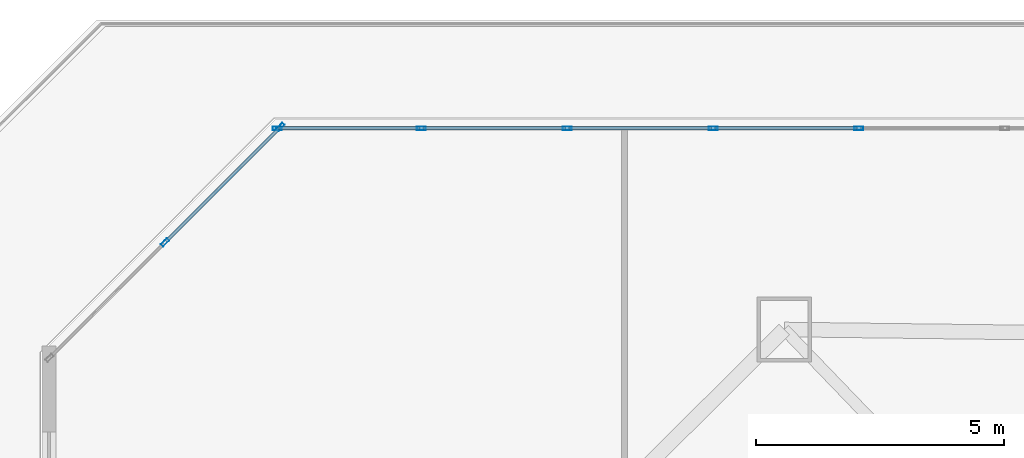
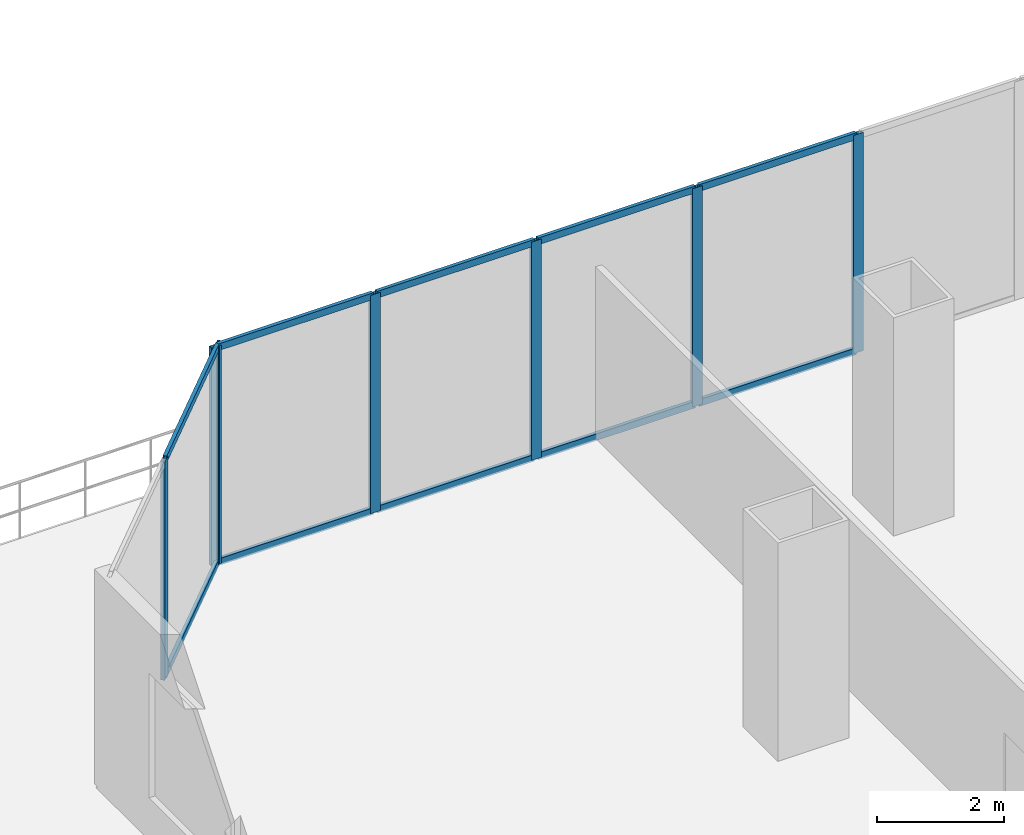
# One storey, part 14 of 31: 17 members, 2 elements without a shape of their own.
"""IFC4 building model written with IfcOpenShell, lengths in metres."""

from ifc_helpers import new_model, si_unit, direction, frame, origin, origin_2d, place, context, subcontext, project, spatial, hollow_rectangle, extrude, material, layer, layer_set, material_profile, profile_set, type_object, element, aggregate, save


model = new_model("IFC4")

# Units and contexts
model_context = context("Model", 3, precision=1e-05, world=origin(), true_north=direction((0.0, 1.0)))
body_context = subcontext(model_context, "Body", "Model", "MODEL_VIEW")
ifc_project = project(units=[si_unit("LENGTHUNIT", "METRE"), si_unit("AREAUNIT", "SQUARE_METRE"), si_unit("VOLUMEUNIT", "CUBIC_METRE"), si_unit("PLANEANGLEUNIT", "RADIAN"), si_unit("MASSUNIT", "GRAM", prefix="KILO")], contexts=[model_context])

# Site, building, storey
site_placement = place(None, origin())
site = spatial("IfcSite", under=ifc_project, at=site_placement, CompositionType="ELEMENT")
building_placement = place(site_placement, origin())
building = spatial("IfcBuilding", under=site, at=building_placement, Name="Caelvoria Tower", CompositionType="ELEMENT")
storey_placement = place(building_placement, frame((0.0, 0.0, 9.5)))
storey = spatial("IfcBuildingStorey", under=building, at=storey_placement, Name="L02", CompositionType="ELEMENT", Elevation=9.5)

# Curtain wall, members
ifc_material_1 = material(Name="Anodised Bronze Aluminium and Low-E Glass", Category="aluminium")
ifc_layer = layer(ifc_material_1, 0.199951171875, Name="Anodised Bronze Aluminium and Low-E Glass")
ifc_layer_set = layer_set([ifc_layer], Name="CW System 1 Podium Arcade Unitised Glazing - Anodised Bronze Aluminium and Low-E Glass")
curtain_wall_type = type_object("IfcCurtainWallType", Name="CW System 1 Podium Arcade Unitised Glazing", PredefinedType="NOTDEFINED", material=ifc_layer_set)
curtain_wall_1_placement = place(storey_placement, origin())
curtain_wall_1 = element("IfcCurtainWall", 1, at=curtain_wall_1_placement, inside=storey, type_object=curtain_wall_type, Name="CW-01 Curtain Wall L02-E4", PredefinedType="NOTDEFINED")
ifc_material_2 = material(Name="Anodised Bronze Architectural Aluminium", Category="aluminium")
ifc_material_profile_1 = material_profile(ifc_material_2, hollow_rectangle(XDim=0.070068359375, YDim=0.179931640625, WallThickness=0.00390625, at=origin_2d()), Name="Anodised Bronze Architectural Aluminium")
ifc_profile_set_1 = profile_set([ifc_material_profile_1], Name="CW_MULL_70X180 - Anodised Bronze Architectural Aluminium")
member_type_1 = type_object("IfcMemberType", Name="Curtain Wall Mullion 70x180 Bronze Aluminium", PredefinedType="MULLION", material=ifc_profile_set_1)
member_1_placement = place(storey_placement, frame((25.445556640625, 57.6201171875, 0.0), z_axis=(0.0, 0.0, 1.0), x_axis=(0.0, -1.0, 0.0)))
member_1 = element("IfcMember", 2, at=member_1_placement, type_object=member_type_1, Name="CW-01 mullion 19", PredefinedType="MULLION", context=body_context, shape_type="SweptSolid", body=[
    extrude(hollow_rectangle(XDim=0.070068359375, YDim=0.179931640625, WallThickness=0.00390625, at=origin_2d()), origin(), (0.0, 0.0, 1.0), 4.2099609375),
])
member_2_placement = place(storey_placement, frame((22.509033203125, 57.6201171875, 0.0), z_axis=(0.0, 0.0, 1.0), x_axis=(0.0, -1.0, 0.0)))
member_2 = element("IfcMember", 3, at=member_2_placement, type_object=member_type_1, Name="CW-01 mullion 20", PredefinedType="MULLION", context=body_context, shape_type="SweptSolid", body=[
    extrude(hollow_rectangle(XDim=0.070068359375, YDim=0.179931640625, WallThickness=0.00390625, at=origin_2d()), origin(), (0.0, 0.0, 1.0), 4.2099609375),
])
member_3_placement = place(storey_placement, frame((19.57275390625, 57.6201171875, 0.0), z_axis=(0.0, 0.0, 1.0), x_axis=(0.0, -1.0, 0.0)))
member_3 = element("IfcMember", 4, at=member_3_placement, type_object=member_type_1, Name="CW-01 mullion 21", PredefinedType="MULLION", context=body_context, shape_type="SweptSolid", body=[
    extrude(hollow_rectangle(XDim=0.070068359375, YDim=0.179931640625, WallThickness=0.00390625, at=origin_2d()), origin(), (0.0, 0.0, 1.0), 4.2099609375),
])
member_4_placement = place(storey_placement, frame((16.636474609375, 57.6201171875, 0.0), z_axis=(0.0, 0.0, 1.0), x_axis=(0.0, -1.0, 0.0)))
member_4 = element("IfcMember", 5, at=member_4_placement, type_object=member_type_1, Name="CW-01 mullion 22", PredefinedType="MULLION", context=body_context, shape_type="SweptSolid", body=[
    extrude(hollow_rectangle(XDim=0.070068359375, YDim=0.179931640625, WallThickness=0.00390625, at=origin_2d()), origin(), (0.0, 0.0, 1.0), 4.2099609375),
])
member_5_placement = place(storey_placement, frame((13.735107421875, 57.6201171875, 0.0), z_axis=(0.0, 0.0, 1.0), x_axis=(0.0, -1.0, 0.0)))
member_5 = element("IfcMember", 6, at=member_5_placement, type_object=member_type_1, Name="CW-01 mullion 23", PredefinedType="MULLION", context=body_context, shape_type="SweptSolid", body=[
    extrude(hollow_rectangle(XDim=0.070068359375, YDim=0.179931640625, WallThickness=0.00390625, at=origin_2d()), origin(), (0.0, 0.0, 1.0), 4.2099609375),
])

curtain_wall_2_placement = place(storey_placement, origin())
curtain_wall_2 = element("IfcCurtainWall", 7, at=curtain_wall_2_placement, inside=storey, type_object=curtain_wall_type, Name="CW-01 Curtain Wall L02-E5", PredefinedType="NOTDEFINED")
member_6_placement = place(storey_placement, frame((13.802490234375, 57.64794921875, 0.0), z_axis=(0.0, 0.0, 1.0), x_axis=(0.707106781187, -0.707106781187, 0.0)))
member_6 = element("IfcMember", 8, at=member_6_placement, type_object=member_type_1, Name="CW-01 mullion 1", PredefinedType="MULLION", context=body_context, shape_type="SweptSolid", body=[
    extrude(hollow_rectangle(XDim=0.070068359375, YDim=0.179931640625, WallThickness=0.00390625, at=origin_2d()), origin(), (0.0, 0.0, 1.0), 4.2099609375),
])
member_7_placement = place(storey_placement, frame((11.477294921875, 55.32275390625, 0.0), z_axis=(0.0, 0.0, 1.0), x_axis=(0.707106781187, -0.707106781187, 0.0)))
member_7 = element("IfcMember", 9, at=member_7_placement, type_object=member_type_1, Name="CW-01 mullion 2", PredefinedType="MULLION", context=body_context, shape_type="SweptSolid", body=[
    extrude(hollow_rectangle(XDim=0.070068359375, YDim=0.179931640625, WallThickness=0.00390625, at=origin_2d()), origin(), (0.0, 0.0, 1.0), 4.2099609375),
])

# Member
ifc_material_profile_2 = material_profile(ifc_material_2, hollow_rectangle(XDim=0.06494140625, YDim=0.1298828125, WallThickness=0.00341796875, at=origin_2d()), Name="Anodised Bronze Architectural Aluminium")
ifc_profile_set_2 = profile_set([ifc_material_profile_2], Name="CW_TRAN_65X130 - Anodised Bronze Architectural Aluminium")
member_type_2 = type_object("IfcMemberType", Name="Curtain Wall Transom 65x130 Bronze Aluminium", PredefinedType="USERDEFINED", material=ifc_profile_set_2)
member_8_placement = place(storey_placement, frame((25.410400390625, 57.6201171875, 0.032470703125), z_axis=(-1.0, 0.0, 0.0), x_axis=(0.0, -1.0, 0.0)))
member_8 = element("IfcMember", 10, at=member_8_placement, type_object=member_type_2, Name="CW-01 transom 19.1", ObjectType="TRANSOM", PredefinedType="USERDEFINED", context=body_context, shape_type="SweptSolid", body=[
    extrude(hollow_rectangle(XDim=0.06494140625, YDim=0.1298828125, WallThickness=0.00341796875, at=origin_2d()), origin(), (0.0, 0.0, 1.0), 2.8662109375),
])

member_9_placement = place(storey_placement, frame((25.410400390625, 57.6201171875, 4.177490234375), z_axis=(-1.0, 0.0, 0.0), x_axis=(0.0, -1.0, 0.0)))
member_9 = element("IfcMember", 11, at=member_9_placement, type_object=member_type_2, Name="CW-01 transom 19.2", ObjectType="TRANSOM", PredefinedType="USERDEFINED", context=body_context, shape_type="SweptSolid", body=[
    extrude(hollow_rectangle(XDim=0.06494140625, YDim=0.1298828125, WallThickness=0.00341796875, at=origin_2d()), origin(), (0.0, 0.0, 1.0), 2.8662109375),
])

member_10_placement = place(storey_placement, frame((22.47412109375, 57.6201171875, 0.032470703125), z_axis=(-1.0, 0.0, 0.0), x_axis=(0.0, -1.0, 0.0)))
member_10 = element("IfcMember", 12, at=member_10_placement, type_object=member_type_2, Name="CW-01 transom 20.1", ObjectType="TRANSOM", PredefinedType="USERDEFINED", context=body_context, shape_type="SweptSolid", body=[
    extrude(hollow_rectangle(XDim=0.06494140625, YDim=0.1298828125, WallThickness=0.00341796875, at=origin_2d()), origin(), (0.0, 0.0, 1.0), 2.866455078125),
])

member_11_placement = place(storey_placement, frame((22.47412109375, 57.6201171875, 4.177490234375), z_axis=(-1.0, 0.0, 0.0), x_axis=(0.0, -1.0, 0.0)))
member_11 = element("IfcMember", 13, at=member_11_placement, type_object=member_type_2, Name="CW-01 transom 20.2", ObjectType="TRANSOM", PredefinedType="USERDEFINED", context=body_context, shape_type="SweptSolid", body=[
    extrude(hollow_rectangle(XDim=0.06494140625, YDim=0.1298828125, WallThickness=0.00341796875, at=origin_2d()), origin(), (0.0, 0.0, 1.0), 2.866455078125),
])

member_12_placement = place(storey_placement, frame((19.537841796875, 57.6201171875, 0.032470703125), z_axis=(-1.0, 0.0, 0.0), x_axis=(0.0, -1.0, 0.0)))
member_12 = element("IfcMember", 14, at=member_12_placement, type_object=member_type_2, Name="CW-01 transom 21.1", ObjectType="TRANSOM", PredefinedType="USERDEFINED", context=body_context, shape_type="SweptSolid", body=[
    extrude(hollow_rectangle(XDim=0.06494140625, YDim=0.1298828125, WallThickness=0.00341796875, at=origin_2d()), origin(), (0.0, 0.0, 1.0), 2.866455078125),
])

member_13_placement = place(storey_placement, frame((19.537841796875, 57.6201171875, 4.177490234375), z_axis=(-1.0, 0.0, 0.0), x_axis=(0.0, -1.0, 0.0)))
member_13 = element("IfcMember", 15, at=member_13_placement, type_object=member_type_2, Name="CW-01 transom 21.2", ObjectType="TRANSOM", PredefinedType="USERDEFINED", context=body_context, shape_type="SweptSolid", body=[
    extrude(hollow_rectangle(XDim=0.06494140625, YDim=0.1298828125, WallThickness=0.00341796875, at=origin_2d()), origin(), (0.0, 0.0, 1.0), 2.866455078125),
])

member_14_placement = place(storey_placement, frame((16.601318359375, 57.6201171875, 0.032470703125), z_axis=(-1.0, 0.0, 0.0), x_axis=(0.0, -1.0, 0.0)))
member_14 = element("IfcMember", 16, at=member_14_placement, type_object=member_type_2, Name="CW-01 transom 22.1", ObjectType="TRANSOM", PredefinedType="USERDEFINED", context=body_context, shape_type="SweptSolid", body=[
    extrude(hollow_rectangle(XDim=0.06494140625, YDim=0.1298828125, WallThickness=0.00341796875, at=origin_2d()), origin(), (0.0, 0.0, 1.0), 2.831298828125),
])

member_15_placement = place(storey_placement, frame((16.601318359375, 57.6201171875, 4.177490234375), z_axis=(-1.0, 0.0, 0.0), x_axis=(0.0, -1.0, 0.0)))
member_15 = element("IfcMember", 17, at=member_15_placement, type_object=member_type_2, Name="CW-01 transom 22.2", ObjectType="TRANSOM", PredefinedType="USERDEFINED", context=body_context, shape_type="SweptSolid", body=[
    extrude(hollow_rectangle(XDim=0.06494140625, YDim=0.1298828125, WallThickness=0.00341796875, at=origin_2d()), origin(), (0.0, 0.0, 1.0), 2.831298828125),
])

aggregate(curtain_wall_1, [member_1, member_2, member_3, member_4, member_5, member_8, member_9, member_10, member_11, member_12, member_13, member_14, member_15])

member_16_placement = place(storey_placement, frame((13.77783203125, 57.623291015625, 0.032470703125), z_axis=(-0.707106781187, -0.707106781187, 0.0), x_axis=(0.707106781187, -0.707106781187, 0.0)))
member_16 = element("IfcMember", 18, at=member_16_placement, type_object=member_type_2, Name="CW-01 transom 1.1", ObjectType="TRANSOM", PredefinedType="USERDEFINED", context=body_context, shape_type="SweptSolid", body=[
    extrude(hollow_rectangle(XDim=0.06494140625, YDim=0.1298828125, WallThickness=0.00341796875, at=origin_2d()), origin(), (0.0, 0.0, 1.0), 3.218505859375),
])

member_17_placement = place(storey_placement, frame((13.77783203125, 57.623291015625, 4.177490234375), z_axis=(-0.707106781187, -0.707106781187, 0.0), x_axis=(0.707106781187, -0.707106781187, 0.0)))
member_17 = element("IfcMember", 19, at=member_17_placement, type_object=member_type_2, Name="CW-01 transom 1.2", ObjectType="TRANSOM", PredefinedType="USERDEFINED", context=body_context, shape_type="SweptSolid", body=[
    extrude(hollow_rectangle(XDim=0.06494140625, YDim=0.1298828125, WallThickness=0.00341796875, at=origin_2d()), origin(), (0.0, 0.0, 1.0), 3.218505859375),
])

aggregate(curtain_wall_2, [member_6, member_7, member_16, member_17])

save(model, "model.ifc")
